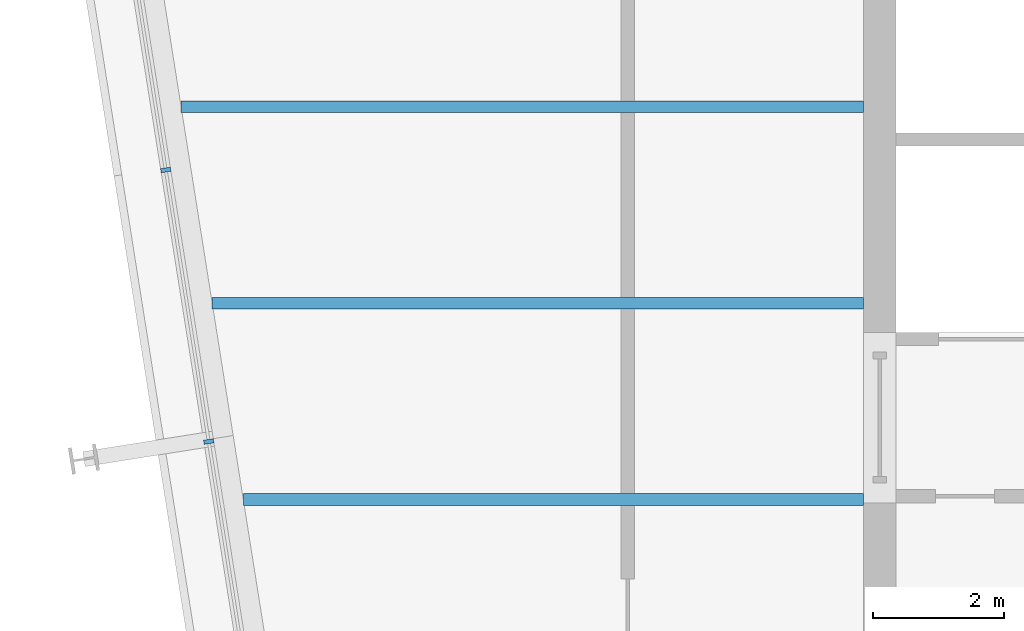
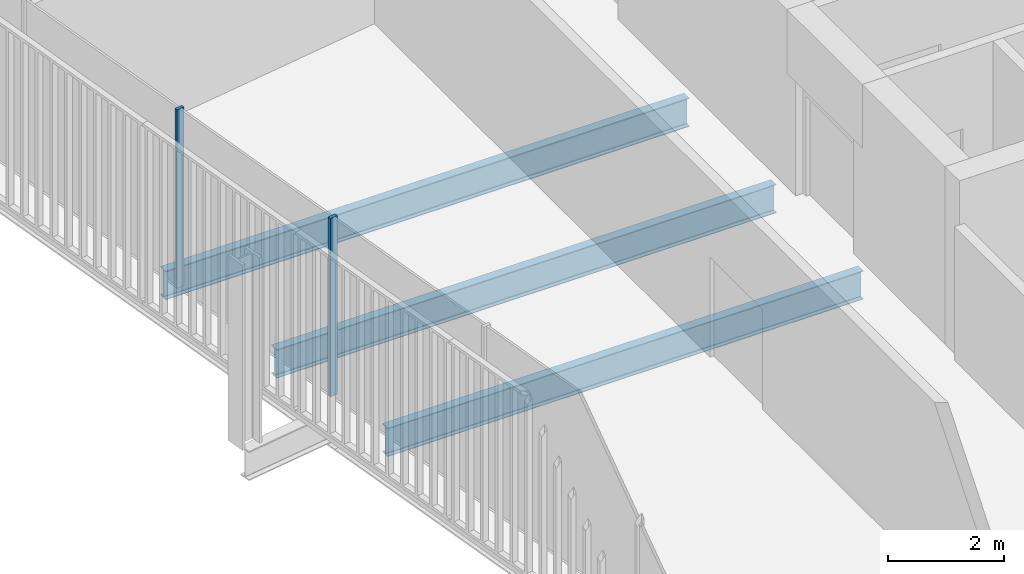
# One storey, part 4 of 20: 3 beams, 2 members, 1 element without a shape of its own.
"""IFC4 building model written with IfcOpenShell, lengths in metres."""

from ifc_helpers import new_model, si_unit, direction, frame, origin, origin_2d, place, context, subcontext, project, spatial, rectangle, i_section, extrude, material, layer, layer_set, material_profile, profile_set, type_object, element, aggregate, save


model = new_model("IFC4")

# Units and contexts
model_context = context("Model", 3, precision=1e-05, world=origin(), true_north=direction((0.0, 1.0)))
body_context = subcontext(model_context, "Body", "Model", "MODEL_VIEW")
ifc_project = project(units=[si_unit("LENGTHUNIT", "METRE"), si_unit("AREAUNIT", "SQUARE_METRE"), si_unit("VOLUMEUNIT", "CUBIC_METRE"), si_unit("PLANEANGLEUNIT", "RADIAN"), si_unit("MASSUNIT", "GRAM", prefix="KILO")], contexts=[model_context])

# Site, building, storey
site_placement = place(None, origin())
site = spatial("IfcSite", under=ifc_project, at=site_placement, CompositionType="ELEMENT")
building_placement = place(site_placement, origin())
building = spatial("IfcBuilding", under=site, at=building_placement, Name="Millrace Tower", CompositionType="ELEMENT")
storey_placement = place(building_placement, frame((0.0, 0.0, 224.199951171875)))
storey = spatial("IfcBuildingStorey", under=building, at=storey_placement, Name="L51", CompositionType="ELEMENT", Elevation=224.199951171875)

# Curtain wall, members
ifc_material_1 = material(Name="Aluminium and glass", Category="aluminium")
ifc_layer = layer(ifc_material_1, 0.14990234375)
ifc_layer_set = layer_set([ifc_layer], Name="Aluminium and glass")
curtain_wall_type = type_object("IfcCurtainWallType", Name="CW-1 office vision curtain wall", PredefinedType="NOTDEFINED", material=ifc_layer_set)
curtain_wall_placement = place(storey_placement, origin())
curtain_wall = element("IfcCurtainWall", 1, at=curtain_wall_placement, inside=storey, type_object=curtain_wall_type, Name="Curtain wall D-F08 L51", PredefinedType="NOTDEFINED")
ifc_material_2 = material(Name="Aluminium", Category="aluminium")
ifc_material_profile_1 = material_profile(ifc_material_2, rectangle(XDim=0.06494140625, YDim=0.14990234375, at=origin_2d()))
ifc_profile_set_1 = profile_set([ifc_material_profile_1], Name="Aluminium")
member_type = type_object("IfcMemberType", Name="CW-1 office vision curtain wall mullion", PredefinedType="MULLION", material=ifc_profile_set_1)
member_1_placement = place(storey_placement, frame((-25.057373046875, -0.966064453125, 0.14013671875), z_axis=(0.0, 0.0, 1.0), x_axis=(0.156434471884, -0.987688339511, 0.0)))
member_1 = element("IfcMember", 2, at=member_1_placement, type_object=member_type, Name="CW1 mullion D-F08.6", PredefinedType="MULLION", context=body_context, shape_type="SweptSolid", body=[
    extrude(rectangle(XDim=0.06494140625, YDim=0.14990234375, at=origin_2d()), origin(), (0.0, 0.0, 1.0), 3.760009765625),
])
member_2_placement = place(storey_placement, frame((-24.400390625, -5.1142578125, 0.14013671875), z_axis=(0.0, 0.0, 1.0), x_axis=(0.156434471884, -0.987688339511, 0.0)))
member_2 = element("IfcMember", 3, at=member_2_placement, type_object=member_type, Name="CW1 mullion D-F08.7", PredefinedType="MULLION", context=body_context, shape_type="SweptSolid", body=[
    extrude(rectangle(XDim=0.06494140625, YDim=0.14990234375, at=origin_2d()), origin(), (0.0, 0.0, 1.0), 3.760009765625),
])
aggregate(curtain_wall, [member_1, member_2])

# Beams
ifc_material_3 = material(Name="Steel ASTM A992 Grade 50", Category="steel")
ifc_material_profile_2 = material_profile(ifc_material_3, i_section(OverallWidth=0.177978515625, OverallDepth=0.599365234375, WebThickness=0.010009765625, FlangeThickness=0.012939453125, FilletRadius=0.012939453125, at=origin_2d()))
ifc_profile_set_2 = profile_set([ifc_material_profile_2], Name="Steel ASTM A992 Grade 50")
beam_type_1 = type_object("IfcBeamType", Name="Floor beam W24x55", PredefinedType="JOIST", material=ifc_profile_set_2)
beam_1_placement = place(storey_placement, frame((-23.872802734375, -6.0, -0.459716796875), z_axis=(1.0, 0.0, 0.0), x_axis=(0.0, 1.0, 0.0)))
element("IfcBeam", 4, at=beam_1_placement, inside=storey, type_object=beam_type_1, Name="BM-D-L51-S1-S009", PredefinedType="JOIST", context=body_context, shape_type="SweptSolid", body=[
    extrude(i_section(OverallWidth=0.177978515625, OverallDepth=0.599365234375, WebThickness=0.010009765625, FlangeThickness=0.012939453125, FilletRadius=0.012939453125, at=origin_2d()), origin(), (0.0, 0.0, 1.0), 9.472900390625),
])
beam_2_placement = place(storey_placement, frame((-24.34814453125, -3.0, -0.459716796875), z_axis=(1.0, 0.0, 0.0), x_axis=(0.0, 1.0, 0.0)))
element("IfcBeam", 5, at=beam_2_placement, inside=storey, type_object=beam_type_1, Name="BM-D-L51-S1-S012", PredefinedType="JOIST", context=body_context, shape_type="SweptSolid", body=[
    extrude(i_section(OverallWidth=0.177978515625, OverallDepth=0.599365234375, WebThickness=0.010009765625, FlangeThickness=0.012939453125, FilletRadius=0.012939453125, at=origin_2d()), origin(), (0.0, 0.0, 1.0), 9.9482421875),
])
ifc_material_4 = material(Name="Steel ASTM A992 Grade 50", Category="steel")
ifc_material_profile_3 = material_profile(ifc_material_4, i_section(OverallWidth=0.1787109375, OverallDepth=0.60205078125, WebThickness=0.010986328125, FlangeThickness=0.014892578125, FilletRadius=0.0126953125, at=origin_2d()))
ifc_profile_set_3 = profile_set([ifc_material_profile_3], Name="Steel ASTM A992 Grade 50")
beam_type_2 = type_object("IfcBeamType", Name="Floor beam W24x62", PredefinedType="JOIST", material=ifc_profile_set_3)
beam_3_placement = place(storey_placement, frame((-24.8232421875, 0.0, -0.4609375), z_axis=(1.0, 0.0, 0.0), x_axis=(0.0, 1.0, 0.0)))
element("IfcBeam", 6, at=beam_3_placement, inside=storey, type_object=beam_type_2, Name="BM-D-L51-S1-S015", PredefinedType="JOIST", context=body_context, shape_type="SweptSolid", body=[
    extrude(i_section(OverallWidth=0.1787109375, OverallDepth=0.60205078125, WebThickness=0.010986328125, FlangeThickness=0.014892578125, FilletRadius=0.0126953125, at=origin_2d()), origin(), (0.0, 0.0, 1.0), 10.42333984375),
])

save(model, "model.ifc")
